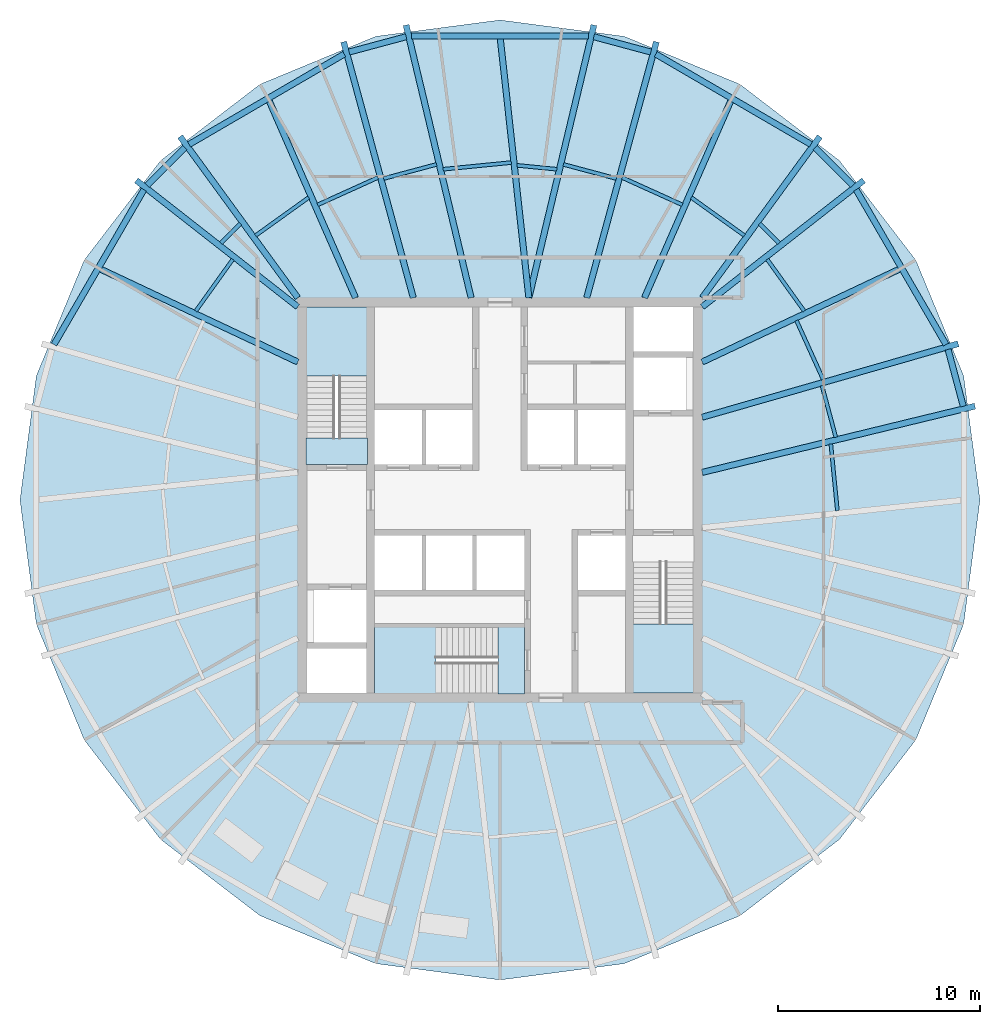
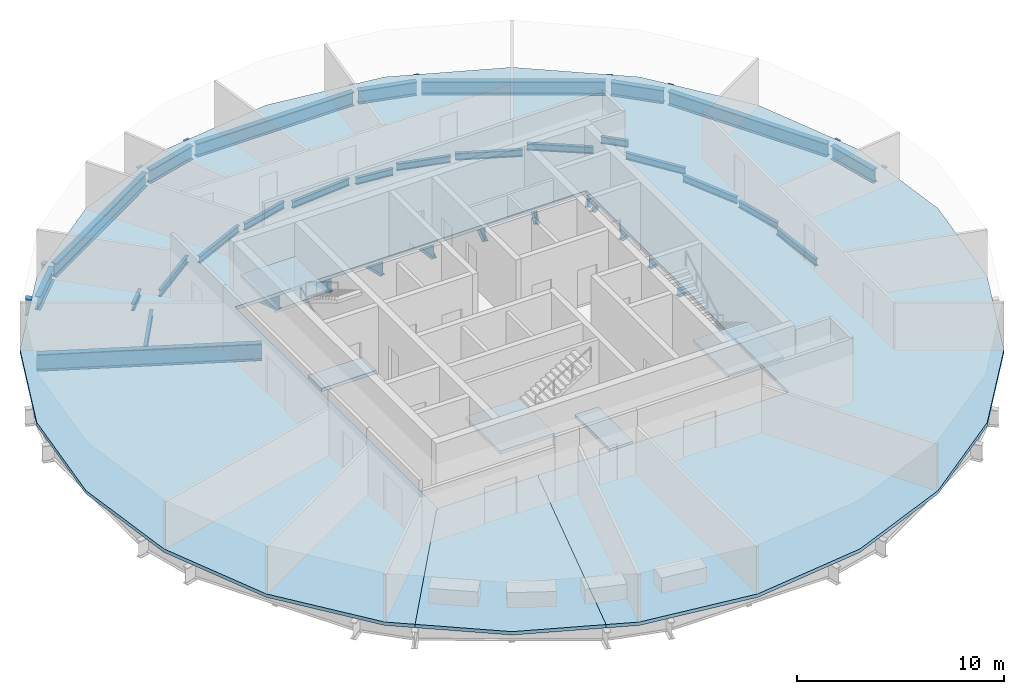
# One storey, part 2 of 7: 40 beams, 7 slabs, 3 elements without a shape of their own.
"""IFC4 building model written with IfcOpenShell, lengths in metres."""

from ifc_helpers import new_model, si_unit, direction, frame, origin, origin_2d, place, context, subcontext, project, spatial, polyline, i_section, outline, extrude, material, layer, layer_set, material_profile, profile_set, type_object, element, aggregate, save


model = new_model("IFC4")

# Units and contexts
model_context = context("Model", 3, precision=1e-05, world=origin(), true_north=direction((0.0, 1.0)))
body_context = subcontext(model_context, "Body", "Model", "MODEL_VIEW")
ifc_project = project(units=[si_unit("LENGTHUNIT", "METRE"), si_unit("AREAUNIT", "SQUARE_METRE"), si_unit("VOLUMEUNIT", "CUBIC_METRE"), si_unit("PLANEANGLEUNIT", "RADIAN"), si_unit("MASSUNIT", "GRAM", prefix="KILO")], contexts=[model_context])

# Site, building, storey
site_placement = place(None, origin())
site = spatial("IfcSite", under=ifc_project, at=site_placement, CompositionType="ELEMENT")
building_placement = place(site_placement, origin())
building = spatial("IfcBuilding", under=site, at=building_placement, Name="Golbaran Civic Tower", CompositionType="ELEMENT")
storey_placement = place(building_placement, frame((0.0, 0.0, 195.0)))
storey = spatial("IfcBuildingStorey", under=building, at=storey_placement, Name="L47", CompositionType="ELEMENT", Elevation=195.0)

# Beams
ifc_material_1 = material(Name="Steel S355", Category="steel")
ifc_material_profile_1 = material_profile(ifc_material_1, i_section(OverallWidth=0.300048828125, OverallDepth=0.800048828125, WebThickness=0.017578125, FlangeThickness=0.032958984375, FilletRadius=0.030029296875, at=origin_2d()), Name="HEB 800")
ifc_profile_set_1 = profile_set([ifc_material_profile_1], Name="Steel S355")
beam_type_1 = type_object("IfcBeamType", Name="EDGE BEAM HEB 800", PredefinedType="BEAM", material=ifc_profile_set_1)
beam_1_placement = place(storey_placement, frame((22.90576171875, 4.634521484375, -0.60009765625), z_axis=(-0.259004480723, 0.965876119886, 0.0), x_axis=(-0.965876119886, -0.259004480723, 0.0)))
element("IfcBeam", 1, at=beam_1_placement, inside=storey, type_object=beam_type_1, Name="Edge beam 11.24 L47", PredefinedType="BEAM", context=body_context, shape_type="SweptSolid", body=[
    extrude(i_section(OverallWidth=0.300048828125, OverallDepth=0.800048828125, WebThickness=0.017578125, FlangeThickness=0.032958984375, FilletRadius=0.030029296875, at=origin_2d()), origin(), (0.0, 0.0, 1.0), 2.909912109375),
])
beam_2_placement = place(storey_placement, frame((22.05126953125, 7.686767578125, -0.60009765625), z_axis=(-0.502117553845, 0.864799376804, 0.0), x_axis=(-0.864799376804, -0.502117553845, 0.0)))
element("IfcBeam", 2, at=beam_2_placement, inside=storey, type_object=beam_type_1, Name="Edge beam 18.76 L47", PredefinedType="BEAM", context=body_context, shape_type="SweptSolid", body=[
    extrude(i_section(OverallWidth=0.300048828125, OverallDepth=0.800048828125, WebThickness=0.017578125, FlangeThickness=0.032958984375, FilletRadius=0.030029296875, at=origin_2d()), origin(), (0.0, 0.0, 1.0), 8.8525390625),
])
beam_3_placement = place(storey_placement, frame((17.44775390625, 15.548583984375, -0.60009765625), z_axis=(-0.706553200975, 0.707659928349, 0.0), x_axis=(-0.707659928349, -0.706553200975, 0.0)))
element("IfcBeam", 3, at=beam_3_placement, inside=storey, type_object=beam_type_1, Name="Edge beam 41.24 L47", PredefinedType="BEAM", context=body_context, shape_type="SweptSolid", body=[
    extrude(i_section(OverallWidth=0.300048828125, OverallDepth=0.800048828125, WebThickness=0.017578125, FlangeThickness=0.032958984375, FilletRadius=0.030029296875, at=origin_2d()), origin(), (0.0, 0.0, 1.0), 2.647216796875),
])
beam_4_placement = place(storey_placement, frame((15.371337890625, 17.580810546875, -0.60009765625), z_axis=(-0.864221561132, 0.503111412387, 0.0), x_axis=(-0.503111412387, -0.864221561132, 0.0)))
element("IfcBeam", 4, at=beam_4_placement, inside=storey, type_object=beam_type_1, Name="Edge beam 48.76 L47", PredefinedType="BEAM", context=body_context, shape_type="SweptSolid", body=[
    extrude(i_section(OverallWidth=0.300048828125, OverallDepth=0.800048828125, WebThickness=0.017578125, FlangeThickness=0.032958984375, FilletRadius=0.030029296875, at=origin_2d()), origin(), (0.0, 0.0, 1.0), 8.875),
])
beam_5_placement = place(storey_placement, frame((7.45947265625, 22.147216796875, -0.60009765625), z_axis=(-0.965760107666, 0.259436725313, 0.0), x_axis=(-0.259436725313, -0.965760107666, 0.0)))
element("IfcBeam", 5, at=beam_5_placement, inside=storey, type_object=beam_type_1, Name="Edge beam 71.24 L47", PredefinedType="BEAM", context=body_context, shape_type="SweptSolid", body=[
    extrude(i_section(OverallWidth=0.300048828125, OverallDepth=0.800048828125, WebThickness=0.017578125, FlangeThickness=0.032958984375, FilletRadius=0.030029296875, at=origin_2d()), origin(), (0.0, 0.0, 1.0), 2.920166015625),
])
beam_6_placement = place(storey_placement, frame((4.380126953125, 22.9384765625, -0.60009765625), z_axis=(-1.0, 0.0, 0.0), x_axis=(0.0, -1.0, 0.0)))
element("IfcBeam", 6, at=beam_6_placement, inside=storey, type_object=beam_type_1, Name="Edge beam 78.76 L47", PredefinedType="BEAM", context=body_context, shape_type="SweptSolid", body=[
    extrude(i_section(OverallWidth=0.300048828125, OverallDepth=0.800048828125, WebThickness=0.017578125, FlangeThickness=0.032958984375, FilletRadius=0.030029296875, at=origin_2d()), origin(), (0.0, 0.0, 1.0), 8.76025390625),
])
beam_7_placement = place(storey_placement, frame((-4.639404296875, 22.90478515625, -0.60009765625), z_axis=(-0.965760107666, -0.259436725313, 0.0), x_axis=(0.259436725313, -0.965760107666, 0.0)))
element("IfcBeam", 7, at=beam_7_placement, inside=storey, type_object=beam_type_1, Name="Edge beam 101.24 L47", PredefinedType="BEAM", context=body_context, shape_type="SweptSolid", body=[
    extrude(i_section(OverallWidth=0.300048828125, OverallDepth=0.800048828125, WebThickness=0.017578125, FlangeThickness=0.032958984375, FilletRadius=0.030029296875, at=origin_2d()), origin(), (0.0, 0.0, 1.0), 2.920166015625),
])
beam_8_placement = place(storey_placement, frame((-7.701416015625, 22.0458984375, -0.60009765625), z_axis=(-0.864221561132, -0.503111412387, 0.0), x_axis=(0.503111412387, -0.864221561132, 0.0)))
element("IfcBeam", 8, at=beam_8_placement, inside=storey, type_object=beam_type_1, Name="Edge beam 108.76 L47", PredefinedType="BEAM", context=body_context, shape_type="SweptSolid", body=[
    extrude(i_section(OverallWidth=0.300048828125, OverallDepth=0.800048828125, WebThickness=0.017578125, FlangeThickness=0.032958984375, FilletRadius=0.030029296875, at=origin_2d()), origin(), (0.0, 0.0, 1.0), 8.875),
])
beam_9_placement = place(storey_placement, frame((-15.577392578125, 17.421875, -0.60009765625), z_axis=(-0.706553200975, -0.707659928349, 0.0), x_axis=(0.707659928349, -0.706553200975, 0.0)))
element("IfcBeam", 9, at=beam_9_placement, inside=storey, type_object=beam_type_1, Name="Edge beam 131.24 L47", PredefinedType="BEAM", context=body_context, shape_type="SweptSolid", body=[
    extrude(i_section(OverallWidth=0.300048828125, OverallDepth=0.800048828125, WebThickness=0.017578125, FlangeThickness=0.032958984375, FilletRadius=0.030029296875, at=origin_2d()), origin(), (0.0, 0.0, 1.0), 2.647216796875),
])
beam_10_placement = place(storey_placement, frame((-17.606201171875, 15.342529296875, -0.60009765625), z_axis=(-0.502117553845, -0.864799376804, 0.0), x_axis=(0.864799376804, -0.502117553845, 0.0)))
element("IfcBeam", 10, at=beam_10_placement, inside=storey, type_object=beam_type_1, Name="Edge beam 138.76 L47", PredefinedType="BEAM", context=body_context, shape_type="SweptSolid", body=[
    extrude(i_section(OverallWidth=0.300048828125, OverallDepth=0.800048828125, WebThickness=0.017578125, FlangeThickness=0.032958984375, FilletRadius=0.030029296875, at=origin_2d()), origin(), (0.0, 0.0, 1.0), 8.8525390625),
])
ifc_material_profile_2 = material_profile(ifc_material_1, i_section(OverallWidth=0.179931640625, OverallDepth=0.39990234375, WebThickness=0.008544921875, FlangeThickness=0.013427734375, FilletRadius=0.02099609375, at=origin_2d()), Name="IPE 400")
ifc_profile_set_2 = profile_set([ifc_material_profile_2], Name="Steel S355")
beam_type_2 = type_object("IfcBeamType", Name="FLOOR INFILL BEAM IPE 400", PredefinedType="BEAM", material=ifc_profile_set_2)
beam_11_placement = place(storey_placement, frame((16.68115234375, -0.529052734375, -0.39990234375), z_axis=(-0.09794557713, 0.995191772434, 0.0), x_axis=(-0.995191772434, -0.09794557713, 0.0)))
element("IfcBeam", 11, at=beam_11_placement, inside=storey, type_object=beam_type_2, Name="Infill beam 5.62 L47", PredefinedType="BEAM", context=body_context, shape_type="SweptSolid", body=[
    extrude(i_section(OverallWidth=0.179931640625, OverallDepth=0.39990234375, WebThickness=0.008544921875, FlangeThickness=0.013427734375, FilletRadius=0.02099609375, at=origin_2d()), origin(), (0.0, 0.0, 1.0), 3.320068359375),
])
beam_12_placement = place(storey_placement, frame((16.601318359375, 3.1025390625, -0.39990234375), z_axis=(-0.258800719407, 0.965930736458, 0.0), x_axis=(-0.965930736458, -0.258800719407, 0.0)))
element("IfcBeam", 12, at=beam_12_placement, inside=storey, type_object=beam_type_2, Name="Infill beam 15.00 L47", PredefinedType="BEAM", context=body_context, shape_type="SweptSolid", body=[
    extrude(i_section(OverallWidth=0.179931640625, OverallDepth=0.39990234375, WebThickness=0.008544921875, FlangeThickness=0.013427734375, FilletRadius=0.02099609375, at=origin_2d()), origin(), (0.0, 0.0, 1.0), 2.643310546875),
])
beam_13_placement = place(storey_placement, frame((15.983642578125, 5.9453125, -0.39990234375), z_axis=(-0.412783571704, 0.910829140361, 0.0), x_axis=(-0.910829140361, -0.412783571704, 0.0)))
element("IfcBeam", 13, at=beam_13_placement, inside=storey, type_object=beam_type_2, Name="Infill beam 24.38 L47", PredefinedType="BEAM", context=body_context, shape_type="SweptSolid", body=[
    extrude(i_section(OverallWidth=0.179931640625, OverallDepth=0.39990234375, WebThickness=0.008544921875, FlangeThickness=0.013427734375, FilletRadius=0.02099609375, at=origin_2d()), origin(), (0.0, 0.0, 1.0), 3.212646484375),
])
beam_14_placement = place(storey_placement, frame((15.04248046875, 9.34033203125, -0.39990234375), z_axis=(-0.582331011216, 0.812951778014, 0.0), x_axis=(-0.812951778014, -0.582331011216, 0.0)))
element("IfcBeam", 14, at=beam_14_placement, inside=storey, type_object=beam_type_2, Name="Infill beam 35.62 L47", PredefinedType="BEAM", context=body_context, shape_type="SweptSolid", body=[
    extrude(i_section(OverallWidth=0.179931640625, OverallDepth=0.39990234375, WebThickness=0.008544921875, FlangeThickness=0.013427734375, FilletRadius=0.02099609375, at=origin_2d()), origin(), (0.0, 0.0, 1.0), 3.147216796875),
])
beam_15_placement = place(storey_placement, frame((13.80419921875, 12.69482421875, -0.39990234375), z_axis=(-0.707106781187, 0.707106781187, 0.0), x_axis=(-0.707106781187, -0.707106781187, 0.0)))
element("IfcBeam", 15, at=beam_15_placement, inside=storey, type_object=beam_type_2, Name="Infill beam 45.00 L47", PredefinedType="BEAM", context=body_context, shape_type="SweptSolid", body=[
    extrude(i_section(OverallWidth=0.179931640625, OverallDepth=0.39990234375, WebThickness=0.008544921875, FlangeThickness=0.013427734375, FilletRadius=0.02099609375, at=origin_2d()), origin(), (0.0, 0.0, 1.0), 1.37060546875),
])
beam_16_placement = place(storey_placement, frame((12.0830078125, 13.07470703125, -0.39990234375), z_axis=(-0.812889894716, 0.582417392485, 0.0), x_axis=(-0.582417392485, -0.812889894716, 0.0)))
element("IfcBeam", 16, at=beam_16_placement, inside=storey, type_object=beam_type_2, Name="Infill beam 54.38 L47", PredefinedType="BEAM", context=body_context, shape_type="SweptSolid", body=[
    extrude(i_section(OverallWidth=0.179931640625, OverallDepth=0.39990234375, WebThickness=0.008544921875, FlangeThickness=0.013427734375, FilletRadius=0.02099609375, at=origin_2d()), origin(), (0.0, 0.0, 1.0), 3.229736328125),
])
beam_17_placement = place(storey_placement, frame((9.014404296875, 14.5927734375, -0.39990234375), z_axis=(-0.910788269433, 0.412873743733, 0.0), x_axis=(-0.412873743733, -0.910788269433, 0.0)))
element("IfcBeam", 17, at=beam_17_placement, inside=storey, type_object=beam_type_2, Name="Infill beam 65.62 L47", PredefinedType="BEAM", context=body_context, shape_type="SweptSolid", body=[
    extrude(i_section(OverallWidth=0.179931640625, OverallDepth=0.39990234375, WebThickness=0.008544921875, FlangeThickness=0.013427734375, FilletRadius=0.02099609375, at=origin_2d()), origin(), (0.0, 0.0, 1.0), 3.26708984375),
])
beam_18_placement = place(storey_placement, frame((5.75537109375, 15.890380859375, -0.39990234375), z_axis=(-0.965941626531, 0.258760070595, 0.0), x_axis=(-0.258760070595, -0.965941626531, 0.0)))
element("IfcBeam", 18, at=beam_18_placement, inside=storey, type_object=beam_type_2, Name="Infill beam 75.00 L47", PredefinedType="BEAM", context=body_context, shape_type="SweptSolid", body=[
    extrude(i_section(OverallWidth=0.179931640625, OverallDepth=0.39990234375, WebThickness=0.008544921875, FlangeThickness=0.013427734375, FilletRadius=0.02099609375, at=origin_2d()), origin(), (0.0, 0.0, 1.0), 2.713623046875),
])
beam_19_placement = place(storey_placement, frame((2.8095703125, 16.352294921875, -0.39990234375), z_axis=(-0.995207632766, 0.0977842916, 0.0), x_axis=(-0.0977842916, -0.995207632766, 0.0)))
element("IfcBeam", 19, at=beam_19_placement, inside=storey, type_object=beam_type_2, Name="Infill beam 84.38 L47", PredefinedType="BEAM", context=body_context, shape_type="SweptSolid", body=[
    extrude(i_section(OverallWidth=0.179931640625, OverallDepth=0.39990234375, WebThickness=0.008544921875, FlangeThickness=0.013427734375, FilletRadius=0.02099609375, at=origin_2d()), origin(), (0.0, 0.0, 1.0), 1.982421875),
])
beam_20_placement = place(storey_placement, frame((0.559814453125, 16.68359375, -0.39990234375), z_axis=(-0.995200750001, -0.097854316191, 0.0), x_axis=(0.097854316191, -0.995200750001, 0.0)))
element("IfcBeam", 20, at=beam_20_placement, inside=storey, type_object=beam_type_2, Name="Infill beam 95.62 L47", PredefinedType="BEAM", context=body_context, shape_type="SweptSolid", body=[
    extrude(i_section(OverallWidth=0.179931640625, OverallDepth=0.39990234375, WebThickness=0.008544921875, FlangeThickness=0.013427734375, FilletRadius=0.02099609375, at=origin_2d()), origin(), (0.0, 0.0, 1.0), 3.3857421875),
])
beam_21_placement = place(storey_placement, frame((-3.13427734375, 16.592529296875, -0.39990234375), z_axis=(-0.965941626531, -0.258760070595, 0.0), x_axis=(0.258760070595, -0.965941626531, 0.0)))
element("IfcBeam", 21, at=beam_21_placement, inside=storey, type_object=beam_type_2, Name="Infill beam 105.00 L47", PredefinedType="BEAM", context=body_context, shape_type="SweptSolid", body=[
    extrude(i_section(OverallWidth=0.179931640625, OverallDepth=0.39990234375, WebThickness=0.008544921875, FlangeThickness=0.013427734375, FilletRadius=0.02099609375, at=origin_2d()), origin(), (0.0, 0.0, 1.0), 2.713623046875),
])
beam_22_placement = place(storey_placement, frame((-6.038818359375, 15.941650390625, -0.39990234375), z_axis=(-0.910788269433, -0.412873743733, 0.0), x_axis=(0.412873743733, -0.910788269433, 0.0)))
element("IfcBeam", 22, at=beam_22_placement, inside=storey, type_object=beam_type_2, Name="Infill beam 114.38 L47", PredefinedType="BEAM", context=body_context, shape_type="SweptSolid", body=[
    extrude(i_section(OverallWidth=0.179931640625, OverallDepth=0.39990234375, WebThickness=0.008544921875, FlangeThickness=0.013427734375, FilletRadius=0.02099609375, at=origin_2d()), origin(), (0.0, 0.0, 1.0), 3.26708984375),
])
beam_23_placement = place(storey_placement, frame((-9.45751953125, 14.955810546875, -0.39990234375), z_axis=(-0.812889894716, -0.582417392485, 0.0), x_axis=(0.582417392485, -0.812889894716, 0.0)))
element("IfcBeam", 23, at=beam_23_placement, inside=storey, type_object=beam_type_2, Name="Infill beam 125.62 L47", PredefinedType="BEAM", context=body_context, shape_type="SweptSolid", body=[
    extrude(i_section(OverallWidth=0.179931640625, OverallDepth=0.39990234375, WebThickness=0.008544921875, FlangeThickness=0.013427734375, FilletRadius=0.02099609375, at=origin_2d()), origin(), (0.0, 0.0, 1.0), 3.229736328125),
])
beam_24_placement = place(storey_placement, frame((-12.8349609375, 13.6640625, -0.39990234375), z_axis=(-0.707106781187, -0.707106781187, 0.0), x_axis=(0.707106781187, -0.707106781187, 0.0)))
element("IfcBeam", 24, at=beam_24_placement, inside=storey, type_object=beam_type_2, Name="Infill beam 135.00 L47", PredefinedType="BEAM", context=body_context, shape_type="SweptSolid", body=[
    extrude(i_section(OverallWidth=0.179931640625, OverallDepth=0.39990234375, WebThickness=0.008544921875, FlangeThickness=0.013427734375, FilletRadius=0.02099609375, at=origin_2d()), origin(), (0.0, 0.0, 1.0), 1.37060546875),
])
beam_25_placement = place(storey_placement, frame((-13.209716796875, 11.89892578125, -0.39990234375), z_axis=(-0.582331011216, -0.812951778014, 0.0), x_axis=(0.812951778014, -0.582331011216, 0.0)))
element("IfcBeam", 25, at=beam_25_placement, inside=storey, type_object=beam_type_2, Name="Infill beam 144.38 L47", PredefinedType="BEAM", context=body_context, shape_type="SweptSolid", body=[
    extrude(i_section(OverallWidth=0.179931640625, OverallDepth=0.39990234375, WebThickness=0.008544921875, FlangeThickness=0.013427734375, FilletRadius=0.02099609375, at=origin_2d()), origin(), (0.0, 0.0, 1.0), 3.147216796875),
])
ifc_material_profile_3 = material_profile(ifc_material_1, i_section(OverallWidth=0.300048828125, OverallDepth=1.0, WebThickness=0.01904296875, FlangeThickness=0.035888671875, FilletRadius=0.030029296875, at=origin_2d()), Name="HEB 1000")
ifc_profile_set_3 = profile_set([ifc_material_profile_3], Name="Steel S355")
beam_type_3 = type_object("IfcBeamType", Name="RADIAL FLOOR BEAM HEB 1000", PredefinedType="BEAM", material=ifc_profile_set_3)
beam_26_placement = place(storey_placement, frame((10.0, 1.3642578125, -0.7099609375), z_axis=(0.971711603322, 0.236170616229, 0.0), x_axis=(-0.236170616229, 0.971711603322, 0.0)))
element("IfcBeam", 26, at=beam_26_placement, inside=storey, type_object=beam_type_3, Name="Radial beam 11.24 L47", PredefinedType="BEAM", context=body_context, shape_type="SweptSolid", body=[
    extrude(i_section(OverallWidth=0.300048828125, OverallDepth=1.0, WebThickness=0.01904296875, FlangeThickness=0.035888671875, FilletRadius=0.030029296875, at=origin_2d()), origin(), (0.0, 0.0, 1.0), 13.8740234375),
])
beam_27_placement = place(storey_placement, frame((10.0, 4.0927734375, -0.7099609375), z_axis=(0.961198584887, 0.275857355187, 0.0), x_axis=(-0.275857355187, 0.961198584887, 0.0)))
element("IfcBeam", 27, at=beam_27_placement, inside=storey, type_object=beam_type_3, Name="Radial beam 18.76 L47", PredefinedType="BEAM", context=body_context, shape_type="SweptSolid", body=[
    extrude(i_section(OverallWidth=0.300048828125, OverallDepth=1.0, WebThickness=0.01904296875, FlangeThickness=0.035888671875, FilletRadius=0.030029296875, at=origin_2d()), origin(), (0.0, 0.0, 1.0), 13.16552734375),
])
beam_28_placement = place(storey_placement, frame((10.0, 9.550048828125, -0.7099609375), z_axis=(0.787255916941, 0.616626403296, 0.0), x_axis=(-0.616626403296, 0.787255916941, 0.0)))
element("IfcBeam", 28, at=beam_28_placement, inside=storey, type_object=beam_type_3, Name="Radial beam 41.24 L47", PredefinedType="BEAM", context=body_context, shape_type="SweptSolid", body=[
    extrude(i_section(OverallWidth=0.300048828125, OverallDepth=1.0, WebThickness=0.01904296875, FlangeThickness=0.035888671875, FilletRadius=0.030029296875, at=origin_2d()), origin(), (0.0, 0.0, 1.0), 10.137451171875),
])
beam_29_placement = place(storey_placement, frame((10.0, 10.0, -0.7099609375), z_axis=(0.589495256768, 0.807771837989, 0.0), x_axis=(-0.807771837989, 0.589495256768, 0.0)))
element("IfcBeam", 29, at=beam_29_placement, inside=storey, type_object=beam_type_3, Name="Radial beam 48.76 L47", PredefinedType="BEAM", context=body_context, shape_type="SweptSolid", body=[
    extrude(i_section(OverallWidth=0.300048828125, OverallDepth=1.0, WebThickness=0.01904296875, FlangeThickness=0.035888671875, FilletRadius=0.030029296875, at=origin_2d()), origin(), (0.0, 0.0, 1.0), 9.864990234375),
])
beam_30_placement = place(storey_placement, frame((4.28564453125, 10.0, -0.7099609375), z_axis=(0.262791291538, 0.964852702277, 0.0), x_axis=(-0.964852702277, 0.262791291538, 0.0)))
element("IfcBeam", 30, at=beam_30_placement, inside=storey, type_object=beam_type_3, Name="Radial beam 71.24 L47", PredefinedType="BEAM", context=body_context, shape_type="SweptSolid", body=[
    extrude(i_section(OverallWidth=0.300048828125, OverallDepth=1.0, WebThickness=0.01904296875, FlangeThickness=0.035888671875, FilletRadius=0.030029296875, at=origin_2d()), origin(), (0.0, 0.0, 1.0), 13.11328125),
])
for number, where, z_axis, x_axis, name in (
    (31, (1.428466796875, 10.0, -0.7099609375), (0.231947578862, 0.97272828717, 0.0), (-0.97272828717, 0.231947578862, 0.0), "Radial beam 78.76 L47"),
    (32, (-1.428466796875, 10.0, -0.7099609375), (-0.231947578862, 0.97272828717, 0.0), (-0.97272828717, -0.231947578862, 0.0), "Radial beam 101.24 L47"),
):
    element("IfcBeam", number, at=place(storey_placement, frame(where, z_axis=z_axis, x_axis=x_axis)), inside=storey, type_object=beam_type_3, Name=name, PredefinedType="BEAM", context=body_context, shape_type="SweptSolid", body=[
        extrude(i_section(OverallWidth=0.300048828125, OverallDepth=1.0, WebThickness=0.01904296875, FlangeThickness=0.035888671875, FilletRadius=0.030029296875, at=origin_2d()), origin(), (0.0, 0.0, 1.0), 13.859130859375),
    ])
beam_31_placement = place(storey_placement, frame((-4.28564453125, 10.0, -0.7099609375), z_axis=(-0.262791291538, 0.964852702277, 0.0), x_axis=(-0.964852702277, -0.262791291538, 0.0)))
element("IfcBeam", 33, at=beam_31_placement, inside=storey, type_object=beam_type_3, Name="Radial beam 108.76 L47", PredefinedType="BEAM", context=body_context, shape_type="SweptSolid", body=[
    extrude(i_section(OverallWidth=0.300048828125, OverallDepth=1.0, WebThickness=0.01904296875, FlangeThickness=0.035888671875, FilletRadius=0.030029296875, at=origin_2d()), origin(), (0.0, 0.0, 1.0), 13.11328125),
])
beam_32_placement = place(storey_placement, frame((-10.0, 10.0, -0.7099609375), z_axis=(-0.589495256768, 0.807771837989, 0.0), x_axis=(-0.807771837989, -0.589495256768, 0.0)))
element("IfcBeam", 34, at=beam_32_placement, inside=storey, type_object=beam_type_3, Name="Radial beam 131.24 L47", PredefinedType="BEAM", context=body_context, shape_type="SweptSolid", body=[
    extrude(i_section(OverallWidth=0.300048828125, OverallDepth=1.0, WebThickness=0.01904296875, FlangeThickness=0.035888671875, FilletRadius=0.030029296875, at=origin_2d()), origin(), (0.0, 0.0, 1.0), 9.864990234375),
])
beam_33_placement = place(storey_placement, frame((-10.0, 9.550048828125, -0.7099609375), z_axis=(-0.787255916941, 0.616626403296, 0.0), x_axis=(-0.616626403296, -0.787255916941, 0.0)))
element("IfcBeam", 35, at=beam_33_placement, inside=storey, type_object=beam_type_3, Name="Radial beam 138.76 L47", PredefinedType="BEAM", context=body_context, shape_type="SweptSolid", body=[
    extrude(i_section(OverallWidth=0.300048828125, OverallDepth=1.0, WebThickness=0.01904296875, FlangeThickness=0.035888671875, FilletRadius=0.030029296875, at=origin_2d()), origin(), (0.0, 0.0, 1.0), 10.137451171875),
])
ifc_material_profile_4 = material_profile(ifc_material_1, i_section(OverallWidth=0.300048828125, OverallDepth=1.0, WebThickness=0.01904296875, FlangeThickness=0.035888671875, FilletRadius=0.030029296875, at=origin_2d()), Name="HEB 1000")
ifc_profile_set_4 = profile_set([ifc_material_profile_4], Name="Steel S355")
beam_type_4 = type_object("IfcBeamType", Name="SECONDARY FLOOR BEAM HEB 1000", PredefinedType="BEAM", material=ifc_profile_set_4)
beam_34_placement = place(storey_placement, frame((10.0, 6.821533203125, -0.7099609375), z_axis=(0.904662755848, 0.42612826494, 0.0), x_axis=(-0.42612826494, 0.904662755848, 0.0)))
element("IfcBeam", 36, at=beam_34_placement, inside=storey, type_object=beam_type_4, Name="Secondary beam 30.00 L47", PredefinedType="BEAM", context=body_context, shape_type="SweptSolid", body=[
    extrude(i_section(OverallWidth=0.300048828125, OverallDepth=1.0, WebThickness=0.01904296875, FlangeThickness=0.035888671875, FilletRadius=0.030029296875, at=origin_2d()), origin(), (0.0, 0.0, 1.0), 10.896484375),
])
beam_35_placement = place(storey_placement, frame((7.142822265625, 10.0, -0.7099609375), z_axis=(0.401514949571, 0.915852469162, 0.0), x_axis=(-0.915852469162, 0.401514949571, 0.0)))
element("IfcBeam", 37, at=beam_35_placement, inside=storey, type_object=beam_type_4, Name="Secondary beam 60.00 L47", PredefinedType="BEAM", context=body_context, shape_type="SweptSolid", body=[
    extrude(i_section(OverallWidth=0.300048828125, OverallDepth=1.0, WebThickness=0.01904296875, FlangeThickness=0.035888671875, FilletRadius=0.030029296875, at=origin_2d()), origin(), (0.0, 0.0, 1.0), 10.76123046875),
])
beam_36_placement = place(storey_placement, frame((1.428466796875, 10.0, -0.7099609375), z_axis=(-0.109737778521, 0.993960572641, 0.0), x_axis=(-0.993960572641, -0.109737778521, 0.0)))
element("IfcBeam", 38, at=beam_36_placement, inside=storey, type_object=beam_type_4, Name="Secondary beam 90.00 L47", PredefinedType="BEAM", context=body_context, shape_type="SweptSolid", body=[
    extrude(i_section(OverallWidth=0.300048828125, OverallDepth=1.0, WebThickness=0.01904296875, FlangeThickness=0.035888671875, FilletRadius=0.030029296875, at=origin_2d()), origin(), (0.0, 0.0, 1.0), 13.01708984375),
])
beam_37_placement = place(storey_placement, frame((-7.142822265625, 10.0, -0.7099609375), z_axis=(-0.401514949571, 0.915852469162, 0.0), x_axis=(-0.915852469162, -0.401514949571, 0.0)))
element("IfcBeam", 39, at=beam_37_placement, inside=storey, type_object=beam_type_4, Name="Secondary beam 120.00 L47", PredefinedType="BEAM", context=body_context, shape_type="SweptSolid", body=[
    extrude(i_section(OverallWidth=0.300048828125, OverallDepth=1.0, WebThickness=0.01904296875, FlangeThickness=0.035888671875, FilletRadius=0.030029296875, at=origin_2d()), origin(), (0.0, 0.0, 1.0), 10.76123046875),
])
beam_38_placement = place(storey_placement, frame((-10.0, 6.821533203125, -0.7099609375), z_axis=(-0.904662755848, 0.42612826494, 0.0), x_axis=(-0.42612826494, -0.904662755848, 0.0)))
element("IfcBeam", 40, at=beam_38_placement, inside=storey, type_object=beam_type_4, Name="Secondary beam 150.00 L47", PredefinedType="BEAM", context=body_context, shape_type="SweptSolid", body=[
    extrude(i_section(OverallWidth=0.300048828125, OverallDepth=1.0, WebThickness=0.01904296875, FlangeThickness=0.035888671875, FilletRadius=0.030029296875, at=origin_2d()), origin(), (0.0, 0.0, 1.0), 10.896484375),
])

# Slabs
ifc_material_2 = material(Name="Concrete LC30/33 lightweight on steel deck", Category="concrete")
ifc_layer_1 = layer(ifc_material_2, 0.199951171875, Name="Concrete LC30/33 lightweight on steel deck")
ifc_layer_set_1 = layer_set([ifc_layer_1], Name="Concrete LC30/33 lightweight on steel deck")
slab_type_1 = type_object("IfcSlabType", Name="COMPOSITE FLOOR SLAB 200", PredefinedType="FLOOR", material=ifc_layer_set_1)
slab_1_placement = place(storey_placement, frame((0.0, 0.0, -0.199951171875)))
element("IfcSlab", 41, at=slab_1_placement, inside=storey, type_object=slab_type_1, Name="Sky garden deck L47", PredefinedType="FLOOR", context=body_context, shape_type="SweptSolid", body=[
    extrude(outline(polyline([(-15.60595703125, -17.681884765625), (-10.0, -10.0), (-9.77490234375, -9.77490234375), (-4.189208984375, -9.77490234375), (-4.28564453125, -10.0), (-7.63671875, -22.303466796875), (-11.86572265625, -20.552001953125), (-15.60595703125, -17.681884765625)])), origin(), (0.0, 0.0, 1.0), 0.199951171875),
])
slab_2_placement = place(storey_placement, frame((0.0, 0.0, -0.199951171875)))
element("IfcSlab", 42, at=slab_2_placement, inside=storey, type_object=slab_type_1, Name="Floor slab L47", PredefinedType="FLOOR", context=body_context, shape_type="SweptSolid", body=[
    extrude(outline(polyline([(16.780517578125, -16.780517578125), (11.86572265625, -20.552001953125), (6.14208984375, -22.922607421875), (0.0, -23.731201171875), (-6.14208984375, -22.922607421875), (-7.63671875, -22.303466796875), (-4.28564453125, -10.0), (-4.189208984375, -9.77490234375), (9.77490234375, -9.77490234375), (9.77490234375, 9.77490234375), (-9.77490234375, 9.77490234375), (-9.77490234375, -9.77490234375), (-10.0, -10.0), (-15.60595703125, -17.681884765625), (-16.780517578125, -16.780517578125), (-20.552001953125, -11.86572265625), (-22.922607421875, -6.14208984375), (-23.731201171875, 0.0), (-22.922607421875, 6.14208984375), (-20.552001953125, 11.86572265625), (-16.780517578125, 16.780517578125), (-11.86572265625, 20.552001953125), (-6.14208984375, 22.922607421875), (0.0, 23.731201171875), (6.14208984375, 22.922607421875), (11.86572265625, 20.552001953125), (16.780517578125, 16.780517578125), (20.552001953125, 11.86572265625), (22.922607421875, 6.14208984375), (23.731201171875, 0.0), (22.922607421875, -6.14208984375), (20.552001953125, -11.86572265625), (16.780517578125, -16.780517578125)])), origin(), (0.0, 0.0, 1.0), 0.199951171875),
])

# Stair, slab
ifc_material_3 = material(Name="Concrete C35/45", Category="concrete")
stair_type_1 = type_object("IfcStairType", Name="EXIT STAIR 2950 x 7800, 4000 RISE", PredefinedType="HALF_TURN_STAIR", material=ifc_material_3)
stair_1_placement = place(storey_placement, origin())
stair_1 = element("IfcStair", 43, at=stair_1_placement, inside=storey, type_object=stair_type_1, Name="Stair S1 L47", PredefinedType="HALF_TURN_STAIR")
ifc_layer_2 = layer(ifc_material_3, 0.199951171875, Name="Concrete C35/45")
ifc_layer_set_2 = layer_set([ifc_layer_2], Name="Concrete C35/45")
slab_type_2 = type_object("IfcSlabType", Name="STAIR LANDING 200", PredefinedType="LANDING", material=ifc_layer_set_2)
slab_3_placement = place(storey_placement, frame((0.0, 0.0, 1.800048828125)))
slab_3 = element("IfcSlab", 44, at=slab_3_placement, type_object=slab_type_2, Name="ST29578-40 landing 1", PredefinedType="LANDING", context=body_context, shape_type="SweptSolid", body=[
    extrude(outline(polyline([(-9.60009765625, 6.125), (-9.60009765625, 9.550048828125), (-6.550048828125, 9.550048828125), (-6.550048828125, 6.125), (-9.60009765625, 6.125)])), origin(), (0.0, 0.0, 1.0), 0.199951171875),
])
aggregate(stair_1, [slab_3])

# Slab
slab_4_placement = place(storey_placement, frame((0.0, 0.0, -0.199951171875)))
element("IfcSlab", 45, at=slab_4_placement, inside=storey, type_object=slab_type_2, Name="Stair S1 floor landing L47", PredefinedType="LANDING", context=body_context, shape_type="SweptSolid", body=[
    extrude(outline(polyline([(-9.60009765625, 1.75), (-9.60009765625, 3.054931640625), (-6.550048828125, 3.054931640625), (-6.550048828125, 1.75), (-9.60009765625, 1.75)])), origin(), (0.0, 0.0, 1.0), 0.199951171875),
])

# Stair, slab
stair_2_placement = place(storey_placement, origin())
stair_2 = element("IfcStair", 46, at=stair_2_placement, inside=storey, type_object=stair_type_1, Name="Stair S2 L47", PredefinedType="HALF_TURN_STAIR")
slab_5_placement = place(storey_placement, frame((0.0, 0.0, 1.800048828125)))
slab_5 = element("IfcSlab", 47, at=slab_5_placement, type_object=slab_type_2, Name="ST29578-40 landing 1", PredefinedType="LANDING", context=body_context, shape_type="SweptSolid", body=[
    extrude(outline(polyline([(9.60009765625, -6.125), (9.60009765625, -9.550048828125), (6.550048828125, -9.550048828125), (6.550048828125, -6.125), (9.60009765625, -6.125)])), origin(), (0.0, 0.0, 1.0), 0.199951171875),
])
aggregate(stair_2, [slab_5])

stair_type_2 = type_object("IfcStairType", Name="EXIT STAIR 3250 x 7400, 4000 RISE", PredefinedType="HALF_TURN_STAIR", material=ifc_material_3)
stair_3_placement = place(storey_placement, origin())
stair_3 = element("IfcStair", 48, at=stair_3_placement, inside=storey, type_object=stair_type_2, Name="Stair S3 L47", PredefinedType="HALF_TURN_STAIR")
slab_6_placement = place(storey_placement, frame((0.0, 0.0, 1.800048828125)))
slab_6 = element("IfcSlab", 49, at=slab_6_placement, type_object=slab_type_2, Name="ST32574-40 landing 1", PredefinedType="LANDING", context=body_context, shape_type="SweptSolid", body=[
    extrude(outline(polyline([(-3.175048828125, -9.60009765625), (-6.199951171875, -9.60009765625), (-6.199951171875, -6.25), (-3.175048828125, -6.25), (-3.175048828125, -9.60009765625)])), origin(), (0.0, 0.0, 1.0), 0.199951171875),
])
aggregate(stair_3, [slab_6])

# Slab
slab_7_placement = place(storey_placement, frame((0.0, 0.0, -0.199951171875)))
element("IfcSlab", 50, at=slab_7_placement, inside=storey, type_object=slab_type_2, Name="Stair S3 floor landing L47", PredefinedType="LANDING", context=body_context, shape_type="SweptSolid", body=[
    extrude(outline(polyline([(1.199951171875, -9.60009765625), (-0.10498046875, -9.60009765625), (-0.10498046875, -6.25), (1.199951171875, -6.25), (1.199951171875, -9.60009765625)])), origin(), (0.0, 0.0, 1.0), 0.199951171875),
])

save(model, "model.ifc")
